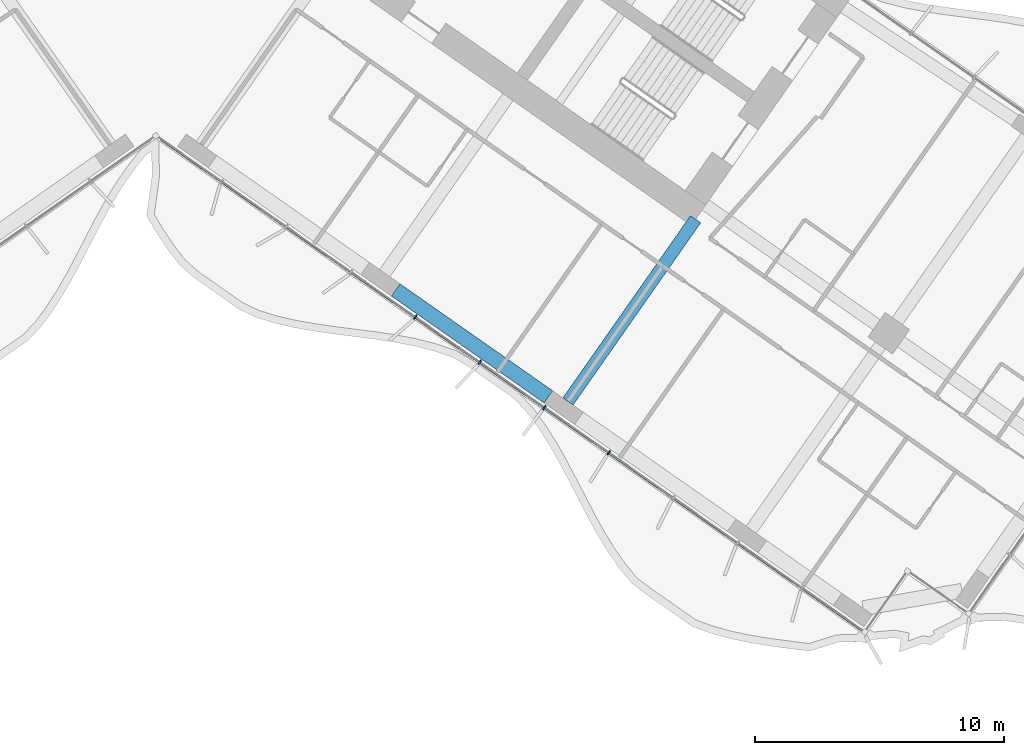
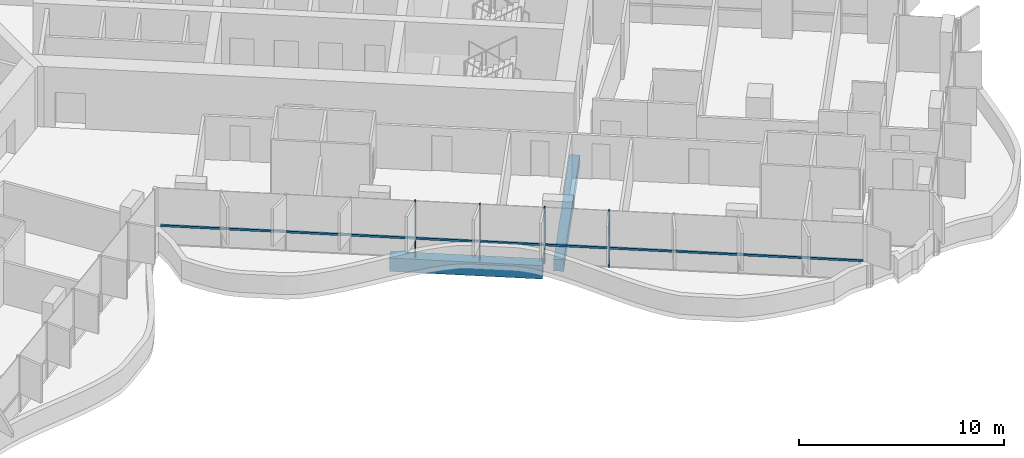
# One storey, part 5 of 23: 5 members, 2 beams, 1 element without a shape of its own.
"""IFC4 building model written with IfcOpenShell, lengths in metres."""

from ifc_helpers import new_model, si_unit, direction, frame, origin, origin_2d, place, context, subcontext, project, spatial, rectangle, extrude, material, material_profile, profile_set, type_object, element, aggregate, save


model = new_model("IFC4")

# Units and contexts
model_context = context("Model", 3, precision=1e-05, world=origin(), true_north=direction((0.0, 1.0)))
body_context = subcontext(model_context, "Body", "Model", "MODEL_VIEW")
ifc_project = project(units=[si_unit("LENGTHUNIT", "METRE"), si_unit("AREAUNIT", "SQUARE_METRE"), si_unit("VOLUMEUNIT", "CUBIC_METRE"), si_unit("PLANEANGLEUNIT", "RADIAN"), si_unit("MASSUNIT", "GRAM", prefix="KILO")], contexts=[model_context])

# Site, building, storey
site_placement = place(None, origin())
site = spatial("IfcSite", under=ifc_project, at=site_placement, CompositionType="ELEMENT")
building_placement = place(site_placement, origin())
building = spatial("IfcBuilding", under=site, at=building_placement, Name="Tel Ilan Convention Tower", CompositionType="ELEMENT")
storey_placement = place(building_placement, frame((0.0, 0.0, 79.699951171875)))
storey = spatial("IfcBuildingStorey", under=building, at=storey_placement, Name="L15", CompositionType="ELEMENT", Elevation=79.699951171875)

# Beams
ifc_material_1 = material(Name="Concrete C40/50", Category="concrete")
ifc_material_profile_1 = material_profile(ifc_material_1, rectangle(XDim=0.5, YDim=0.699951171875, at=origin_2d()), Name="RC 500x700")
ifc_profile_set_1 = profile_set([ifc_material_profile_1], Name="Concrete C40/50")
beam_type_1 = type_object("IfcBeamType", Name="Beam RC 500x700 Concrete C40/50", PredefinedType="BEAM", material=ifc_profile_set_1)
beam_1_placement = place(storey_placement, frame((16.58203125, -23.391357421875, -0.6298828125), z_axis=(0.573584999642, 0.819146048141, 0.0), x_axis=(-0.819146048141, 0.573584999642, 0.0)))
element("IfcBeam", 1, at=beam_1_placement, inside=storey, type_object=beam_type_1, Name="L15 beam E-E-F3-core", PredefinedType="BEAM", context=body_context, shape_type="SweptSolid", body=[
    extrude(rectangle(XDim=0.5, YDim=0.699951171875, at=origin_2d()), origin(), (0.0, 0.0, 1.0), 8.949951171875),
])
ifc_material_2 = material(Name="Concrete C40/50", Category="concrete")
ifc_material_profile_2 = material_profile(ifc_material_2, rectangle(XDim=0.60009765625, YDim=0.800048828125, at=origin_2d()), Name="RC 600x800")
ifc_profile_set_2 = profile_set([ifc_material_profile_2], Name="Concrete C40/50")
beam_type_2 = type_object("IfcBeamType", Name="Beam RC 600x800 Concrete C40/50", PredefinedType="BEAM", material=ifc_profile_set_2)
beam_2_placement = place(storey_placement, frame((9.652099609375, -18.905029296875, -0.679931640625), z_axis=(0.81915238829, -0.573575945067, 0.0), x_axis=(0.573575945067, 0.81915238829, 0.0)))
element("IfcBeam", 2, at=beam_2_placement, inside=storey, type_object=beam_type_2, Name="L15 beam E-E-F2-E-F3", PredefinedType="BEAM", context=body_context, shape_type="SweptSolid", body=[
    extrude(rectangle(XDim=0.60009765625, YDim=0.800048828125, at=origin_2d()), origin(), (0.0, 0.0, 1.0), 7.5),
])

# Curtain wall, members
ifc_material_3 = material(Name="Aluminium, bronze anodised", Category="aluminium")
curtain_wall_type = type_object("IfcCurtainWallType", Name="CW1 UNITISED CURTAIN WALL, HOTEL TINTED GLASS", PredefinedType="NOTDEFINED", material=ifc_material_3)
curtain_wall_placement = place(storey_placement, origin())
curtain_wall = element("IfcCurtainWall", 3, at=curtain_wall_placement, inside=storey, type_object=curtain_wall_type, Name="Curtain wall CW1-15.02", PredefinedType="NOTDEFINED")
ifc_material_4 = material(Name="Aluminium, bronze anodised", Category="aluminium")
ifc_material_profile_3 = material_profile(ifc_material_4, rectangle(XDim=0.06005859375, YDim=0.199951171875, at=origin_2d()), Name="CW MULLION 60x200")
ifc_profile_set_3 = profile_set([ifc_material_profile_3], Name="Aluminium, bronze anodised")
member_type_1 = type_object("IfcMemberType", Name="CW MULLION 60x200", PredefinedType="MULLION", material=ifc_profile_set_3)
member_1_placement = place(storey_placement, frame((10.4375, -20.004638671875, 0.0), z_axis=(0.0, 0.0, 1.0), x_axis=(0.819152044289, -0.573576436351, 0.0)))
member_1 = element("IfcMember", 4, at=member_1_placement, type_object=member_type_1, Name="Mullion", PredefinedType="MULLION", context=body_context, shape_type="SweptSolid", body=[
    extrude(rectangle(XDim=0.06005859375, YDim=0.199951171875, at=origin_2d()), origin(), (0.0, 0.0, 1.0), 3.320068359375),
])
member_2_placement = place(storey_placement, frame((13.03271484375, -21.821533203125, 0.0), z_axis=(0.0, 0.0, 1.0), x_axis=(0.819152044289, -0.573576436351, 0.0)))
member_2 = element("IfcMember", 5, at=member_2_placement, type_object=member_type_1, Name="Mullion", PredefinedType="MULLION", context=body_context, shape_type="SweptSolid", body=[
    extrude(rectangle(XDim=0.06005859375, YDim=0.199951171875, at=origin_2d()), origin(), (0.0, 0.0, 1.0), 3.320068359375),
])
member_3_placement = place(storey_placement, frame((15.627685546875, -23.638671875, 0.0), z_axis=(0.0, 0.0, 1.0), x_axis=(0.819152044289, -0.573576436351, 0.0)))
member_3 = element("IfcMember", 6, at=member_3_placement, type_object=member_type_1, Name="Mullion", PredefinedType="MULLION", context=body_context, shape_type="SweptSolid", body=[
    extrude(rectangle(XDim=0.06005859375, YDim=0.199951171875, at=origin_2d()), origin(), (0.0, 0.0, 1.0), 3.320068359375),
])
member_4_placement = place(storey_placement, frame((18.222900390625, -25.455810546875, 0.0), z_axis=(0.0, 0.0, 1.0), x_axis=(0.819152044289, -0.573576436351, 0.0)))
member_4 = element("IfcMember", 7, at=member_4_placement, type_object=member_type_1, Name="Mullion", PredefinedType="MULLION", context=body_context, shape_type="SweptSolid", body=[
    extrude(rectangle(XDim=0.06005859375, YDim=0.199951171875, at=origin_2d()), origin(), (0.0, 0.0, 1.0), 3.320068359375),
])
ifc_material_5 = material(Name="Aluminium, bronze anodised", Category="aluminium")
ifc_material_profile_4 = material_profile(ifc_material_5, rectangle(XDim=0.10009765625, YDim=0.1201171875, at=origin_2d()), Name="CW TRANSOM 100x120")
ifc_profile_set_4 = profile_set([ifc_material_profile_4], Name="Aluminium, bronze anodised")
member_type_2 = type_object("IfcMemberType", Name="CW TRANSOM 100x120", PredefinedType="USERDEFINED", material=ifc_profile_set_4)
member_5_placement = place(storey_placement, frame((0.22119140625, -12.850830078125, 1.10009765625), z_axis=(0.819151003602, -0.573577922604, 0.0), x_axis=(0.573577922604, 0.819151003602, 0.0)))
member_5 = element("IfcMember", 8, at=member_5_placement, type_object=member_type_2, Name="Transom", ObjectType="TRANSOM", PredefinedType="USERDEFINED", context=body_context, shape_type="SweptSolid", body=[
    extrude(rectangle(XDim=0.10009765625, YDim=0.1201171875, at=origin_2d()), origin(), (0.0, 0.0, 1.0), 34.447998046875),
])
aggregate(curtain_wall, [member_1, member_2, member_3, member_4, member_5])

save(model, "model.ifc")
